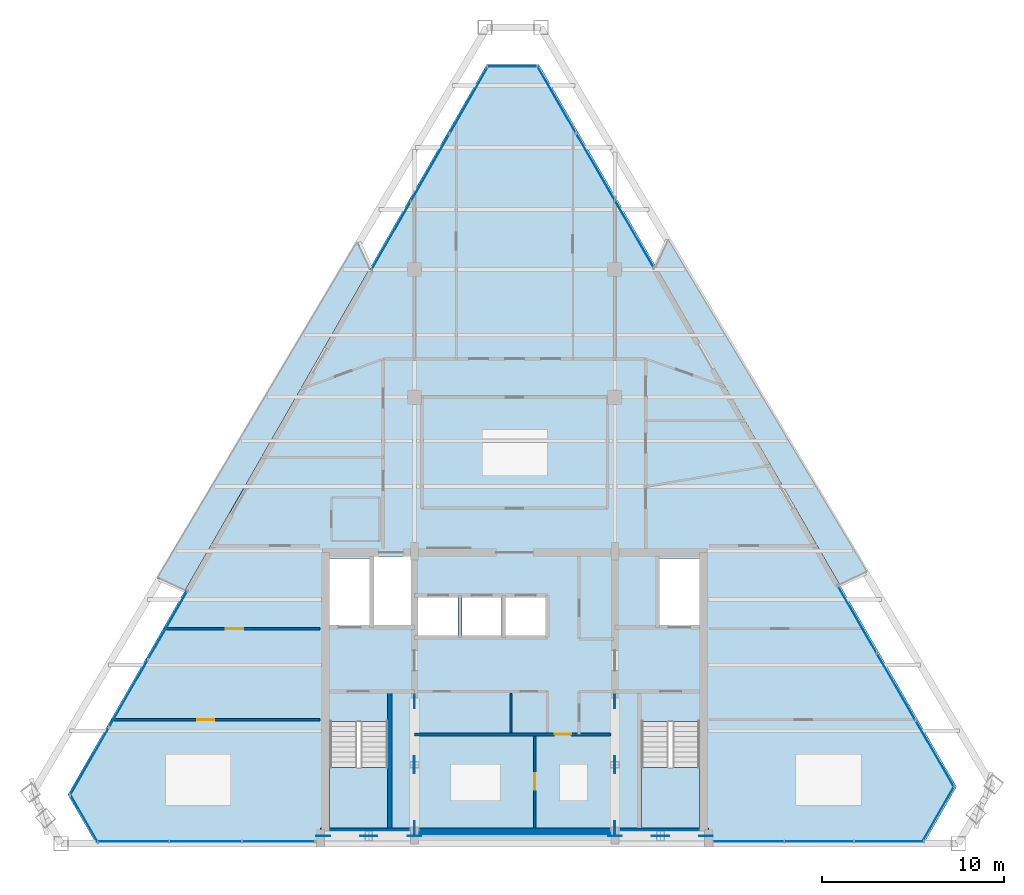
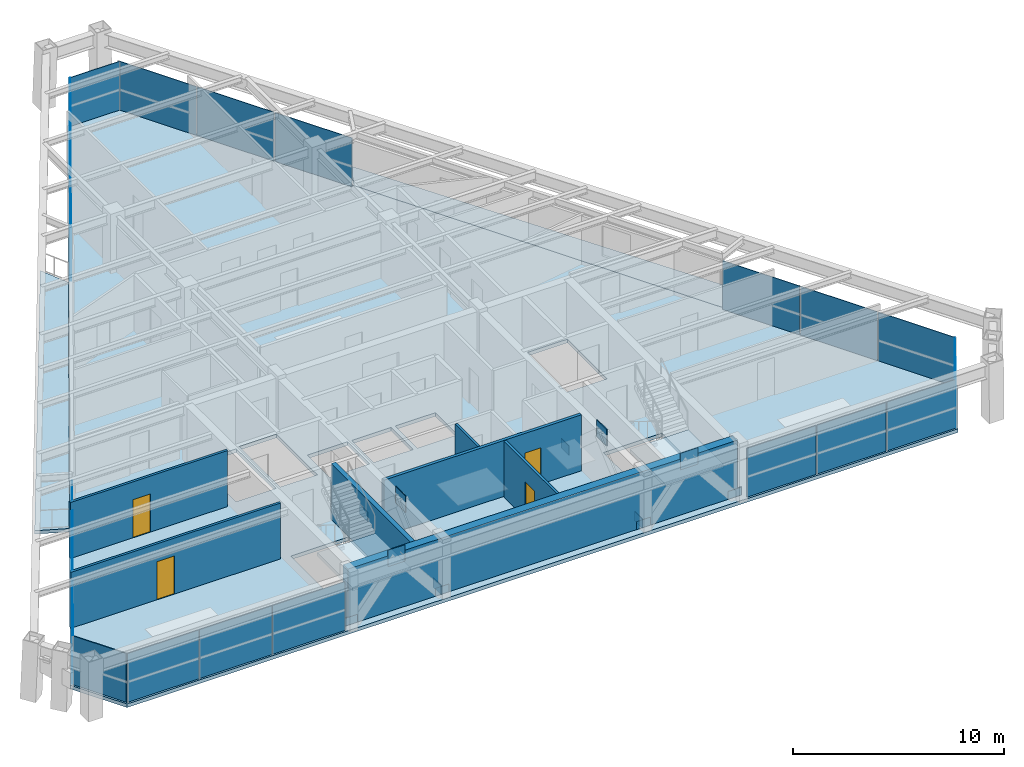
# One storey, part 8 of 13: 33 plates, 7 walls, 5 slabs, 4 doors, 4 openings, 11 elements without a shape of their own.
"""IFC4 building model written with IfcOpenShell, lengths in metres."""

import ifcopenshell
import ifcopenshell.guid

model = None  # the IFC model being written
_history = None  # IfcOwnerHistory: only IFC2X3 demands one
_inside = {}  # id of a spatial element -> (the spatial element, [elements in it])
_under = {}  # id of a project, library or spatial element -> (it, [spatial elements below it])
_declared = {}  # id of a project -> (the project, [libraries it declares])
_typed = {}  # id of a type object -> (the type object, [elements of that type])
_made_of = {}  # id of a material, layer set ... -> (it, [elements and type objects made of it])


def new_model(schema):
    """Start an empty IFC model of exactly this schema.

    Asked for "IFC4X3", IfcOpenShell would pick the latest addendum, in which some entities
    have other attributes; the version numbers below select the first issue.
    IFC2X3 requires an IfcOwnerHistory on every rooted entity: one is made here for all.
    """
    global model, _history
    if schema == "IFC4X3":
        model = ifcopenshell.file(schema_version=(4, 3, 0, 0))
    else:
        model = ifcopenshell.file(schema=schema)
    _inside.clear()
    _under.clear()
    _declared.clear()
    _typed.clear()
    _made_of.clear()
    _history = None
    if model.schema == "IFC2X3":
        org = make("IfcOrganization", Name="unknown")
        user = make(
            "IfcPersonAndOrganization",
            ThePerson=make("IfcPerson", FamilyName="unknown"),
            TheOrganization=org,
        )
        app = make(
            "IfcApplication",
            ApplicationDeveloper=org,
            Version="unknown",
            ApplicationFullName="unknown",
            ApplicationIdentifier="unknown",
        )
        _history = make(
            "IfcOwnerHistory",
            OwningUser=user,
            OwningApplication=app,
            ChangeAction="ADDED",
            CreationDate=0,
        )
    return model


def make(cls, **values):
    """One entity of the class cls with the attributes given. An attribute that is None is left unset."""
    return model.create_entity(
        cls, **{name: value for name, value in values.items() if value is not None}
    )


def rooted(cls, **values):
    """An entity with a GlobalId (a new one), such as an element, a storey or a relation."""
    return make(cls, GlobalId=ifcopenshell.guid.new(), OwnerHistory=_history, **values)


def si_unit(unit_type, name, prefix=None):
    """IfcSIUnit, for example si_unit("LENGTHUNIT", "METRE", prefix="MILLI")."""
    return make("IfcSIUnit", UnitType=unit_type, Prefix=prefix, Name=name)


def assignment(units):
    """IfcUnitAssignment: the units of a project."""
    return None if units is None else make("IfcUnitAssignment", Units=units)


def point(xyz):
    """IfcCartesianPoint."""
    return None if xyz is None else make("IfcCartesianPoint", Coordinates=xyz)


def direction(xyz):
    """IfcDirection."""
    return None if xyz is None else make("IfcDirection", DirectionRatios=xyz)


def frame(location, z_axis=None, x_axis=None):
    """IfcAxis2Placement3D, a coordinate frame: its origin and axes. An axis left out is left unset."""
    return make(
        "IfcAxis2Placement3D",
        Location=point(location),
        Axis=direction(z_axis),
        RefDirection=direction(x_axis),
    )


def frame_2d(location, x_axis=None):
    """IfcAxis2Placement2D, a coordinate frame in the plane: its origin and x axis."""
    return make(
        "IfcAxis2Placement2D", Location=point(location), RefDirection=direction(x_axis)
    )


def origin():
    """The frame at (0, 0, 0) with its axes left unset."""
    return frame((0.0, 0.0, 0.0))


def origin_2d():
    """The frame at (0, 0) in the plane with its x axis left unset."""
    return frame_2d((0.0, 0.0))


def place(relative_to, where):
    """IfcLocalPlacement: puts the frame where relative to a parent placement (None: the world)."""
    return make(
        "IfcLocalPlacement", PlacementRelTo=relative_to, RelativePlacement=where
    )


def context(
    kind, dimensions, precision=None, world=None, true_north=None, identifier=None
):
    """IfcGeometricRepresentationContext, for example the 3D "Model" context."""
    return make(
        "IfcGeometricRepresentationContext",
        ContextIdentifier=identifier,
        ContextType=kind,
        CoordinateSpaceDimension=dimensions,
        Precision=precision,
        WorldCoordinateSystem=world,
        TrueNorth=true_north,
    )


def subcontext(parent, identifier, kind, view, scale=None):
    """IfcGeometricRepresentationSubContext, for example "Body" below "Model"."""
    return make(
        "IfcGeometricRepresentationSubContext",
        ContextIdentifier=identifier,
        ContextType=kind,
        ParentContext=parent,
        TargetScale=scale,
        TargetView=view,
    )


def project(units=None, contexts=None):
    """IfcProject with its units and contexts."""
    return rooted(
        "IfcProject",
        Name="project",
        RepresentationContexts=contexts,
        UnitsInContext=assignment(units),
    )


def spatial(cls, under=None, at=None, **own):
    """A site, building, storey or space (cls), placed at a placement, below another one or the project."""
    s = rooted(cls, ObjectPlacement=at, **own)
    if under is not None:
        _under.setdefault(under.id(), (under, []))[1].append(s)
    return s


def polyline(points):
    """IfcPolyline through the points."""
    return make("IfcPolyline", Points=[point(p) for p in points])


def profile(cls, at=None, kind="AREA", **sizes):
    """A parametric profile (cls). Its sizes go by their IFC names, for example OverallWidth=200.0."""
    return make(cls, ProfileType=kind, Position=at, **sizes)


def rectangle(**sizes):
    """IfcRectangleProfileDef."""
    return profile("IfcRectangleProfileDef", **sizes)


def outline(outer, holes=None, kind="AREA"):
    """IfcArbitraryClosedProfileDef: a profile drawn as a closed curve; with holes, ...WithVoids."""
    if holes is None:
        return make("IfcArbitraryClosedProfileDef", ProfileType=kind, OuterCurve=outer)
    return make(
        "IfcArbitraryProfileDefWithVoids",
        ProfileType=kind,
        OuterCurve=outer,
        InnerCurves=holes,
    )


def extrude(swept, where, along, depth):
    """IfcExtrudedAreaSolid: the profile swept, set in the frame where, extruded along a direction by depth."""
    return make(
        "IfcExtrudedAreaSolid",
        SweptArea=swept,
        Position=where,
        ExtrudedDirection=direction(along),
        Depth=depth,
    )


def shape(context_of_items, identifier, shape_type, items):
    """IfcShapeRepresentation: the items that make up one representation, for example the "Body"."""
    return make(
        "IfcShapeRepresentation",
        ContextOfItems=context_of_items,
        RepresentationIdentifier=identifier,
        RepresentationType=shape_type,
        Items=items,
    )


def source(mapping_origin, context_of_items, identifier, shape_type, items):
    """IfcRepresentationMap: a shape defined once, which mapped items show again and again."""
    return make(
        "IfcRepresentationMap",
        MappingOrigin=mapping_origin,
        MappedRepresentation=shape(context_of_items, identifier, shape_type, items),
    )


def transform(
    local_origin,
    x_axis=None,
    y_axis=None,
    z_axis=None,
    scale=None,
    scale2=None,
    scale3=None,
    uniform=True,
):
    """IfcCartesianTransformationOperator3D, or its non-uniform kind. x_axis, y_axis, z_axis: its Axis1, 2, 3."""
    if uniform:
        return make(
            "IfcCartesianTransformationOperator3D",
            Axis1=direction(x_axis),
            Axis2=direction(y_axis),
            LocalOrigin=point(local_origin),
            Scale=scale,
            Axis3=direction(z_axis),
        )
    return make(
        "IfcCartesianTransformationOperator3DnonUniform",
        Axis1=direction(x_axis),
        Axis2=direction(y_axis),
        LocalOrigin=point(local_origin),
        Scale=scale,
        Axis3=direction(z_axis),
        Scale2=scale2,
        Scale3=scale3,
    )


def mapped(mapping_source, mapping_target):
    """IfcMappedItem: shows the shape of a source again, moved by a transform."""
    return make(
        "IfcMappedItem", MappingSource=mapping_source, MappingTarget=mapping_target
    )


def material(Name=None, Category=None):
    """IfcMaterial."""
    return make("IfcMaterial", Name=Name, Category=Category)


def layer(
    of_material, thickness, ventilated=None, Name=None, Category=None, Priority=None
):
    """IfcMaterialLayer: one layer of a wall or slab, of a material (None: an air gap)."""
    return make(
        "IfcMaterialLayer",
        Material=of_material,
        LayerThickness=thickness,
        IsVentilated=ventilated,
        Name=Name,
        Category=Category,
        Priority=Priority,
    )


def layer_set(layers, Name=None):
    """IfcMaterialLayerSet."""
    return make("IfcMaterialLayerSet", MaterialLayers=layers, LayerSetName=Name)


def made_of(thing, what):
    """Note that an element or type object is made of a material, layer set ...; save() writes the relation."""
    if what is not None:
        _made_of.setdefault(what.id(), (what, []))[1].append(thing)
    return thing


def type_object(cls, material=None, **own):
    """A type object (cls), such as IfcWallType, which elements share."""
    return made_of(rooted(cls, **own), material)


def type_shapes(of_type, sources):
    """Give a type object the sources (RepresentationMaps) that its elements show as mapped items."""
    of_type.RepresentationMaps = sources


def element(
    cls,
    number,
    at=None,
    inside=None,
    cuts=None,
    type_object=None,
    material=None,
    context=None,
    identifier="Body",
    shape_type=None,
    held_by="IfcProductDefinitionShape",
    body=None,
    shapes=None,
    **own,
):
    """One element of the class cls, such as IfcWall. Its Tag is "e" and its number.

    at: its placement. inside: the storey or other place that contains it. cuts: it is an
    opening in that element (IfcRelVoidsElement). A single representation is given by context,
    identifier, shape_type and body (its items); several are given by shapes. held_by: the class
    of the entity that holds the representations. save() writes the other relations.
    """
    e = rooted(cls, Tag="e%d" % number, ObjectPlacement=at, **own)
    if body is not None:
        shapes = [shape(context, identifier, shape_type, body)]
    if shapes is not None:
        e.Representation = make(held_by, Representations=shapes)
    if inside is not None:
        _inside.setdefault(inside.id(), (inside, []))[1].append(e)
    if cuts is not None:
        rooted(
            "IfcRelVoidsElement", RelatingBuildingElement=cuts, RelatedOpeningElement=e
        )
    if type_object is not None:
        _typed.setdefault(type_object.id(), (type_object, []))[1].append(e)
    return made_of(e, material)


def fill(opening, filler):
    """IfcRelFillsElement: the door or window that sits in an opening."""
    return rooted(
        "IfcRelFillsElement",
        RelatingOpeningElement=opening,
        RelatedBuildingElement=filler,
    )


def aggregate(whole, parts):
    """IfcRelAggregates: a whole, such as a stair, and the parts it consists of."""
    return rooted("IfcRelAggregates", RelatingObject=whole, RelatedObjects=parts)


def save(model, path):
    """Write the relations noted so far, then the file.

    IfcRelAggregates (storeys below a building ...), IfcRelContainedInSpatialStructure (elements
    in a storey), IfcRelDefinesByType, IfcRelAssociatesMaterial and IfcRelDeclares: one each for
    every whole, place, type object, material and project.
    """
    for whole, parts in _under.values():
        aggregate(whole, parts)
    for where, things in _inside.values():
        rooted(
            "IfcRelContainedInSpatialStructure",
            RelatedElements=things,
            RelatingStructure=where,
        )
    for kind, things in _typed.values():
        rooted("IfcRelDefinesByType", RelatedObjects=things, RelatingType=kind)
    for what, things in _made_of.values():
        rooted("IfcRelAssociatesMaterial", RelatedObjects=things, RelatingMaterial=what)
    for by, libraries in _declared.values():
        rooted("IfcRelDeclares", RelatingContext=by, RelatedDefinitions=libraries)
    model.write(path)


model = new_model("IFC4")

# Units and contexts
model_context = context("Model", 3, precision=1e-05, world=origin(), true_north=direction((0.0, 1.0)))
body_context = subcontext(model_context, "Body", "Model", "MODEL_VIEW")
ifc_project = project(units=[si_unit("LENGTHUNIT", "METRE"), si_unit("AREAUNIT", "SQUARE_METRE"), si_unit("VOLUMEUNIT", "CUBIC_METRE"), si_unit("PLANEANGLEUNIT", "RADIAN"), si_unit("MASSUNIT", "GRAM", prefix="KILO")], contexts=[model_context])

# Site, building, storey
site_placement = place(None, origin())
site = spatial("IfcSite", under=ifc_project, at=site_placement, CompositionType="ELEMENT")
building_placement = place(site_placement, origin())
building = spatial("IfcBuilding", under=site, at=building_placement, Name="Varnakhor Terracotta Tower", CompositionType="ELEMENT")
storey_placement = place(building_placement, frame((0.0, 0.0, 293.699951171875)))
storey = spatial("IfcBuildingStorey", under=building, at=storey_placement, Name="L77", CompositionType="ELEMENT", Elevation=293.699951171875)

# Slab
ifc_material_1 = material(Name="Concrete C40/50", Category="concrete")
ifc_layer_1 = layer(ifc_material_1, 0.2099609375, Name="Concrete C40/50")
ifc_layer_set_1 = layer_set([ifc_layer_1], Name="Concrete C40/50")
slab_type_1 = type_object("IfcSlabType", Name="SLB-HTL-210", PredefinedType="FLOOR", material=ifc_layer_set_1)
slab_1_placement = place(storey_placement, frame((0.0, 0.0, -0.2099609375)))
element("IfcSlab", 1, at=slab_1_placement, inside=storey, type_object=slab_type_1, Name="L77 Structural Floor Slab", PredefinedType="FLOOR", context=body_context, shape_type="SweptSolid", body=[
    extrude(outline(polyline([(-24.5126953125, 2.686279296875), (-1.52490234375, 42.7607421875), (1.33056640625, 42.7607421875), (24.246337890625, 3.125732421875), (22.453125, 0.0), (-22.959716796875, 0.0), (-24.5126953125, 2.686279296875)]), holes=[polyline([(-6.949951171875, 0.85009765625), (-6.949951171875, 6.695068359375), (-10.14990234375, 6.695068359375), (-10.14990234375, 0.85009765625), (-6.949951171875, 0.85009765625)]), polyline([(10.14990234375, 0.85009765625), (10.14990234375, 6.695068359375), (6.949951171875, 6.695068359375), (6.949951171875, 0.85009765625), (10.14990234375, 0.85009765625)]), polyline([(-3.10009765625, 11.419921875), (-3.10009765625, 13.52001953125), (-5.300048828125, 13.52001953125), (-5.300048828125, 11.419921875), (-3.10009765625, 11.419921875)]), polyline([(-0.719970703125, 11.419921875), (-0.719970703125, 13.52001953125), (-2.8798828125, 13.52001953125), (-2.8798828125, 11.419921875), (-0.719970703125, 11.419921875)]), polyline([(1.699951171875, 11.419921875), (1.699951171875, 13.52001953125), (-0.5, 13.52001953125), (-0.5, 11.419921875), (1.699951171875, 11.419921875)]), polyline([(-7.949951171875, 11.8798828125), (-7.949951171875, 15.64990234375), (-10.14990234375, 15.64990234375), (-10.14990234375, 11.8798828125), (-7.949951171875, 11.8798828125)]), polyline([(10.14990234375, 11.8798828125), (10.14990234375, 15.64990234375), (7.949951171875, 15.64990234375), (7.949951171875, 11.8798828125), (10.14990234375, 11.8798828125)]), polyline([(-5.699951171875, 11.8798828125), (-5.699951171875, 15.75), (-7.72998046875, 15.75), (-7.72998046875, 11.8798828125), (-5.699951171875, 11.8798828125)])]), origin(), (0.0, 0.0, 1.0), 0.2099609375),
])

# Stair, slab
stair_type = type_object("IfcStairType", Name="STR-CORE-HOTEL-1500", PredefinedType="HALF_TURN_STAIR", material=ifc_material_1)
stair_1_placement = place(storey_placement, origin())
stair_1 = element("IfcStair", 2, at=stair_1_placement, inside=storey, type_object=stair_type, Name="L77 Core Exit Stair ST-1", PredefinedType="HALF_TURN_STAIR")
ifc_layer_2 = layer(ifc_material_1, 0.179931640625, Name="Concrete C40/50")
ifc_layer_set_2 = layer_set([ifc_layer_2], Name="Concrete C40/50")
slab_type_2 = type_object("IfcSlabType", Name="SLB-LANDING-180", PredefinedType="LANDING", material=ifc_layer_set_2)
slab_2_placement = place(storey_placement, frame((0.0, 0.0, 1.525146484375)))
slab_2 = element("IfcSlab", 3, at=slab_2_placement, type_object=slab_type_2, Name="ST-1 landing 1", PredefinedType="LANDING", context=body_context, shape_type="SweptSolid", body=[
    extrude(outline(polyline([(-10.14990234375, 4.18994140625), (-10.14990234375, 0.85009765625), (-6.949951171875, 0.85009765625), (-6.949951171875, 4.18994140625), (-10.14990234375, 4.18994140625)])), origin(), (0.0, 0.0, 1.0), 0.199951171875),
])
aggregate(stair_1, [slab_2])

stair_2_placement = place(storey_placement, origin())
stair_2 = element("IfcStair", 4, at=stair_2_placement, inside=storey, type_object=stair_type, Name="L77 Core Exit Stair ST-2", PredefinedType="HALF_TURN_STAIR")
slab_3_placement = place(storey_placement, frame((0.0, 0.0, 1.525146484375)))
slab_3 = element("IfcSlab", 5, at=slab_3_placement, type_object=slab_type_2, Name="ST-2 landing 1", PredefinedType="LANDING", context=body_context, shape_type="SweptSolid", body=[
    extrude(outline(polyline([(6.949951171875, 4.18994140625), (6.949951171875, 0.85009765625), (10.14990234375, 0.85009765625), (10.14990234375, 4.18994140625), (6.949951171875, 4.18994140625)])), origin(), (0.0, 0.0, 1.0), 0.199951171875),
])
aggregate(stair_2, [slab_3])

# Slabs
ifc_layer_3 = layer(ifc_material_1, 0.195068359375, Name="Concrete C40/50")
ifc_layer_set_3 = layer_set([ifc_layer_3], Name="Concrete C40/50")
slab_type_3 = type_object("IfcSlabType", Name="SLB-LOGGIA-EXT-195", PredefinedType="FLOOR", material=ifc_layer_set_3)
slab_4_placement = place(storey_placement, frame((0.0, 0.0, -0.195068359375)))
element("IfcSlab", 6, at=slab_4_placement, inside=storey, type_object=slab_type_3, Name="L77 E Recessed Outdoor Loggia Slab", PredefinedType="FLOOR", context=body_context, shape_type="SweptSolid", body=[
    extrude(outline(polyline([(8.4072265625, 33.167724609375), (19.338134765625, 14.899658203125), (17.829833984375, 14.2236328125), (7.7470703125, 31.6630859375), (8.4072265625, 33.167724609375)])), origin(), (0.0, 0.0, 1.0), 0.195068359375),
])
slab_5_placement = place(storey_placement, frame((0.0, 0.0, -0.195068359375)))
element("IfcSlab", 7, at=slab_5_placement, inside=storey, type_object=slab_type_3, Name="L77 W Recessed Outdoor Loggia Slab", PredefinedType="FLOOR", context=body_context, shape_type="SweptSolid", body=[
    extrude(outline(polyline([(-19.599853515625, 14.568115234375), (-8.627685546875, 33.038818359375), (-7.96142578125, 31.539794921875), (-16.531982421875, 16.59912109375), (-18.076171875, 13.906982421875), (-19.599853515625, 14.568115234375)])), origin(), (0.0, 0.0, 1.0), 0.195068359375),
])

# Plates
ifc_material_2 = material(Name="Steel S460", Category="steel")
ifc_layer_4 = layer(ifc_material_2, 0.050048828125, Name="Steel S460")
ifc_layer_set_4 = layer_set([ifc_layer_4], Name="Steel S460")
plate_type_1 = type_object("IfcPlateType", Name="PLT-GUSSET-50", PredefinedType="USERDEFINED", material=ifc_layer_set_4)
shared_shape_1 = source(origin(), body_context, "Body", "SweptSolid", [
    extrude(rectangle(XDim=0.75, YDim=0.0400390625, at=origin_2d()), origin(), (0.0, 0.0, 1.0), 0.550048828125),
])
type_shapes(plate_type_1, [shared_shape_1])
for number, where, z_axis, x_axis, name in (
    (8, (-10.5, 0.419921875, -0.09521484375), (0.0, 0.0, 1.0), (1.0, 0.0, 0.0), "L77 Core Brace Embed Plate CSWA"),
    (9, (-5.5, 0.419921875, -0.09521484375), (0.0, 0.0, 1.0), (1.0, 0.0, 0.0), "L77 Core Brace Embed Plate CSWB"),
    (10, (5.5, 0.419921875, -0.09521484375), (0.0, 0.0, 1.0), (1.0, 0.0, 0.0), "L77 Core Brace Embed Plate CSEA"),
    (11, (10.5, 0.419921875, -0.09521484375), (0.0, 0.0, 1.0), (1.0, 0.0, 0.0), "L77 Core Brace Embed Plate CSEB"),
    (12, (-5.5, 0.85009765625, -0.09521484375), (0.0, 0.0, 1.0), (0.0, 1.0, 0.0), "L77 Core Brace Embed Plate CWWA"),
    (13, (-5.5, 7.800048828125, -0.09521484375), (0.0, 0.0, 1.0), (0.0, 1.0, 0.0), "L77 Core Brace Embed Plate CWWB"),
    (14, (5.5, 0.85009765625, -0.09521484375), (0.0, 0.0, 1.0), (0.0, 1.0, 0.0), "L77 Core Brace Embed Plate CWEA"),
    (15, (5.5, 7.800048828125, -0.09521484375), (0.0, 0.0, 1.0), (0.0, 1.0, 0.0), "L77 Core Brace Embed Plate CWEB"),
):
    element("IfcPlate", number, at=place(storey_placement, frame(where, z_axis=z_axis, x_axis=x_axis)), inside=storey, type_object=plate_type_1, Name=name, ObjectType="GUSSET PLATE", PredefinedType="USERDEFINED", context=body_context, shape_type="MappedRepresentation", body=[
        mapped(shared_shape_1, transform((0.0, 0.0, 0.0), scale=1.0)),
    ])
shared_shape_2 = source(origin(), body_context, "Body", "SweptSolid", [
    extrude(rectangle(XDim=0.949951171875, YDim=0.044921875, at=origin_2d()), origin(), (0.0, 0.0, 1.0), 0.949951171875),
])
for number, where, z_axis, x_axis, name in (
    (16, (-8.0, 0.419921875, 2.615234375), (0.0, 0.0, 1.0), (1.0, 0.0, 0.0), "L77 Core Brace Apex Gusset CSW"),
    (17, (8.0, 0.419921875, 2.615234375), (0.0, 0.0, 1.0), (1.0, 0.0, 0.0), "L77 Core Brace Apex Gusset CSE"),
    (18, (-5.5, 4.324951171875, 2.615234375), (0.0, 0.0, 1.0), (0.0, 1.0, 0.0), "L77 Core Brace Apex Gusset CWW"),
    (19, (5.5, 4.324951171875, 2.615234375), (0.0, 0.0, 1.0), (0.0, 1.0, 0.0), "L77 Core Brace Apex Gusset CWE"),
):
    element("IfcPlate", number, at=place(storey_placement, frame(where, z_axis=z_axis, x_axis=x_axis)), inside=storey, type_object=plate_type_1, Name=name, ObjectType="GUSSET PLATE", PredefinedType="USERDEFINED", context=body_context, shape_type="MappedRepresentation", body=[
        mapped(shared_shape_2, transform((0.0, 0.0, 0.0), scale=1.0)),
    ])

# Curtain wall, plate
ifc_material_3 = material(Name="Anodised Aluminium Curtain Wall System", Category="aluminium")
curtain_wall_type = type_object("IfcCurtainWallType", Name="CW-SYS-HOTEL-LOGGIA", PredefinedType="NOTDEFINED", material=ifc_material_3)
curtain_wall_1_placement = place(storey_placement, origin())
curtain_wall_1 = element("IfcCurtainWall", 20, at=curtain_wall_1_placement, inside=storey, type_object=curtain_wall_type, Name="L77 E Facet Curtain Wall 1", PredefinedType="NOTDEFINED")
ifc_material_4 = material(Name="Solar-Control Low-E Insulated Glass Panel", Category="glass")
ifc_layer_5 = layer(ifc_material_4, 0.033935546875, Name="Solar-Control Low-E Insulated Glass Panel")
ifc_layer_set_5 = layer_set([ifc_layer_5], Name="Solar-Control Low-E Insulated Glass Panel")
plate_type_2 = type_object("IfcPlateType", Name="CWP-04", PredefinedType="CURTAIN_PANEL", material=ifc_layer_set_5)
shared_shape_3 = source(origin(), body_context, "Body", "SweptSolid", [
    extrude(rectangle(XDim=4.212890625, YDim=0.035888671875, at=origin_2d()), origin(), (0.0, 0.0, 1.0), 2.820068359375),
])
plate_1_placement = place(storey_placement, frame((4.434814453125, 37.15185546875, 0.0), z_axis=(0.0, 0.0, 1.0), x_axis=(0.500528931493, -0.865719809603, 0.0)))
plate_1 = element("IfcPlate", 21, at=plate_1_placement, type_object=plate_type_2, Name="L77 E Facet Curtain Wall 1 Glazed Panel 2", PredefinedType="CURTAIN_PANEL", context=body_context, shape_type="MappedRepresentation", body=[
    mapped(shared_shape_3, transform((0.0, 0.0, 0.0), scale=1.0)),
])

curtain_wall_2_placement = place(storey_placement, origin())
curtain_wall_2 = element("IfcCurtainWall", 22, at=curtain_wall_2_placement, inside=storey, type_object=curtain_wall_type, Name="L77 E Facet Curtain Wall 2", PredefinedType="NOTDEFINED")
plate_2_placement = place(storey_placement, frame((20.93408203125, 8.61474609375, 0.0), z_axis=(0.0, 0.0, 1.0), x_axis=(0.500528931493, -0.865719809603, 0.0)))
plate_2 = element("IfcPlate", 23, at=plate_2_placement, type_object=plate_type_2, Name="L77 E Facet Curtain Wall 2 Glazed Panel 2", PredefinedType="CURTAIN_PANEL", context=body_context, shape_type="MappedRepresentation", body=[
    mapped(shared_shape_3, transform((0.0, 0.0, 0.0), scale=1.0)),
])

# Curtain wall, plates
curtain_wall_3_placement = place(storey_placement, origin())
curtain_wall_3 = element("IfcCurtainWall", 24, at=curtain_wall_3_placement, inside=storey, type_object=curtain_wall_type, Name="L77 W Facet Curtain Wall 1", PredefinedType="NOTDEFINED")
shared_shape_4 = source(origin(), body_context, "Body", "SweptSolid", [
    extrude(rectangle(XDim=4.251953125, YDim=0.035888671875, at=origin_2d()), origin(), (0.0, 0.0, 1.0), 2.820068359375),
])
plate_3_placement = place(storey_placement, frame((-23.325927734375, 4.513916015625, 0.0), z_axis=(0.0, 0.0, 1.0), x_axis=(0.497579654441, 0.867418288651, 0.0)))
plate_3 = element("IfcPlate", 25, at=plate_3_placement, type_object=plate_type_2, Name="L77 W Facet Curtain Wall 1 Glazed Panel 1", PredefinedType="CURTAIN_PANEL", context=body_context, shape_type="MappedRepresentation", body=[
    mapped(shared_shape_4, transform((0.0, 0.0, 0.0), scale=1.0)),
])
plate_4_placement = place(storey_placement, frame((-21.190185546875, 8.237060546875, 0.0), z_axis=(0.0, 0.0, 1.0), x_axis=(0.497579654441, 0.867418288651, 0.0)))
plate_4 = element("IfcPlate", 26, at=plate_4_placement, type_object=plate_type_2, Name="L77 W Facet Curtain Wall 1 Glazed Panel 2", PredefinedType="CURTAIN_PANEL", context=body_context, shape_type="MappedRepresentation", body=[
    mapped(shared_shape_4, transform((0.0, 0.0, 0.0), scale=1.0)),
])
plate_5_placement = place(storey_placement, frame((-19.0546875, 11.9599609375, 0.0), z_axis=(0.0, 0.0, 1.0), x_axis=(0.497579654441, 0.867418288651, 0.0)))
plate_5 = element("IfcPlate", 27, at=plate_5_placement, type_object=plate_type_2, Name="L77 W Facet Curtain Wall 1 Glazed Panel 3", PredefinedType="CURTAIN_PANEL", context=body_context, shape_type="MappedRepresentation", body=[
    mapped(shared_shape_4, transform((0.0, 0.0, 0.0), scale=1.0)),
])
aggregate(curtain_wall_3, [plate_3, plate_4, plate_5])

curtain_wall_4_placement = place(storey_placement, origin())
curtain_wall_4 = element("IfcCurtainWall", 28, at=curtain_wall_4_placement, inside=storey, type_object=curtain_wall_type, Name="L77 W Facet Curtain Wall 2", PredefinedType="NOTDEFINED")
plate_6_placement = place(storey_placement, frame((-6.774658203125, 33.36767578125, 0.0), z_axis=(0.0, 0.0, 1.0), x_axis=(0.497579654441, 0.867418288651, 0.0)))
plate_6 = element("IfcPlate", 29, at=plate_6_placement, type_object=plate_type_2, Name="L77 W Facet Curtain Wall 2 Glazed Panel 1", PredefinedType="CURTAIN_PANEL", context=body_context, shape_type="MappedRepresentation", body=[
    mapped(shared_shape_4, transform((0.0, 0.0, 0.0), scale=1.0)),
])
plate_7_placement = place(storey_placement, frame((-4.63916015625, 37.090576171875, 0.0), z_axis=(0.0, 0.0, 1.0), x_axis=(0.497579654441, 0.867418288651, 0.0)))
plate_7 = element("IfcPlate", 30, at=plate_7_placement, type_object=plate_type_2, Name="L77 W Facet Curtain Wall 2 Glazed Panel 2", PredefinedType="CURTAIN_PANEL", context=body_context, shape_type="MappedRepresentation", body=[
    mapped(shared_shape_4, transform((0.0, 0.0, 0.0), scale=1.0)),
])
plate_8_placement = place(storey_placement, frame((-2.50341796875, 40.813720703125, 0.0), z_axis=(0.0, 0.0, 1.0), x_axis=(0.497579654441, 0.867418288651, 0.0)))
plate_8 = element("IfcPlate", 31, at=plate_8_placement, type_object=plate_type_2, Name="L77 W Facet Curtain Wall 2 Glazed Panel 3", PredefinedType="CURTAIN_PANEL", context=body_context, shape_type="MappedRepresentation", body=[
    mapped(shared_shape_4, transform((0.0, 0.0, 0.0), scale=1.0)),
])
aggregate(curtain_wall_4, [plate_6, plate_7, plate_8])

# Curtain wall, plate
curtain_wall_5_placement = place(storey_placement, origin())
curtain_wall_5 = element("IfcCurtainWall", 32, at=curtain_wall_5_placement, inside=storey, type_object=curtain_wall_type, Name="L77 Facet Curtain Wall 2", PredefinedType="NOTDEFINED")
shared_shape_5 = source(origin(), body_context, "Body", "SweptSolid", [
    extrude(rectangle(XDim=2.755615234375, YDim=0.035888671875, at=origin_2d()), origin(), (0.0, 0.0, 1.0), 2.820068359375),
])
plate_9_placement = place(storey_placement, frame((-0.09716796875, 42.640869140625, 0.0), z_axis=(0.0, 0.0, 1.0), x_axis=(1.0, 0.0, 0.0)))
plate_9 = element("IfcPlate", 33, at=plate_9_placement, type_object=plate_type_2, Name="L77 Facet Curtain Wall 2 Glazed Panel 1", PredefinedType="CURTAIN_PANEL", context=body_context, shape_type="MappedRepresentation", body=[
    mapped(shared_shape_5, transform((0.0, 0.0, 0.0), scale=1.0)),
])
aggregate(curtain_wall_5, [plate_9])

# Plate
shared_shape_6 = source(origin(), body_context, "Body", "SweptSolid", [
    extrude(rectangle(XDim=4.213134765625, YDim=0.035888671875, at=origin_2d()), origin(), (0.0, 0.0, 1.0), 2.820068359375),
])
plate_10_placement = place(storey_placement, frame((2.30615234375, 40.833740234375, 0.0), z_axis=(0.0, 0.0, 1.0), x_axis=(0.500528931493, -0.865719809603, 0.0)))
plate_10 = element("IfcPlate", 34, at=plate_10_placement, type_object=plate_type_2, Name="L77 E Facet Curtain Wall 1 Glazed Panel 1", PredefinedType="CURTAIN_PANEL", context=body_context, shape_type="MappedRepresentation", body=[
    mapped(shared_shape_6, transform((0.0, 0.0, 0.0), scale=1.0)),
])

plate_11_placement = place(storey_placement, frame((6.563720703125, 33.469970703125, 0.0), z_axis=(0.0, 0.0, 1.0), x_axis=(0.500528931493, -0.865719809603, 0.0)))
plate_11 = element("IfcPlate", 35, at=plate_11_placement, type_object=plate_type_2, Name="L77 E Facet Curtain Wall 1 Glazed Panel 3", PredefinedType="CURTAIN_PANEL", context=body_context, shape_type="MappedRepresentation", body=[
    mapped(shared_shape_6, transform((0.0, 0.0, 0.0), scale=1.0)),
])

aggregate(curtain_wall_1, [plate_10, plate_1, plate_11])

plate_12_placement = place(storey_placement, frame((18.805419921875, 12.296630859375, 0.0), z_axis=(0.0, 0.0, 1.0), x_axis=(0.500528931493, -0.865719809603, 0.0)))
plate_12 = element("IfcPlate", 36, at=plate_12_placement, type_object=plate_type_2, Name="L77 E Facet Curtain Wall 2 Glazed Panel 1", PredefinedType="CURTAIN_PANEL", context=body_context, shape_type="MappedRepresentation", body=[
    mapped(shared_shape_6, transform((0.0, 0.0, 0.0), scale=1.0)),
])

plate_13_placement = place(storey_placement, frame((23.06298828125, 4.9326171875, 0.0), z_axis=(0.0, 0.0, 1.0), x_axis=(0.500528931493, -0.865719809603, 0.0)))
plate_13 = element("IfcPlate", 37, at=plate_13_placement, type_object=plate_type_2, Name="L77 E Facet Curtain Wall 2 Glazed Panel 3", PredefinedType="CURTAIN_PANEL", context=body_context, shape_type="MappedRepresentation", body=[
    mapped(shared_shape_6, transform((0.0, 0.0, 0.0), scale=1.0)),
])

aggregate(curtain_wall_2, [plate_12, plate_2, plate_13])

# Curtain wall, plate
curtain_wall_6_placement = place(storey_placement, origin())
curtain_wall_6 = element("IfcCurtainWall", 38, at=curtain_wall_6_placement, inside=storey, type_object=curtain_wall_type, Name="L77 Facet Curtain Wall 4", PredefinedType="NOTDEFINED")
shared_shape_7 = source(origin(), body_context, "Body", "SweptSolid", [
    extrude(rectangle(XDim=3.503662109375, YDim=0.035888671875, at=origin_2d()), origin(), (0.0, 0.0, 1.0), 2.820068359375),
])
plate_14_placement = place(storey_placement, frame((23.24560546875, 1.62255859375, 0.0), z_axis=(0.0, 0.0, 1.0), x_axis=(-0.49759479367, -0.867409604116, 0.0)))
plate_14 = element("IfcPlate", 39, at=plate_14_placement, type_object=plate_type_2, Name="L77 Facet Curtain Wall 4 Glazed Panel 1", PredefinedType="CURTAIN_PANEL", context=body_context, shape_type="MappedRepresentation", body=[
    mapped(shared_shape_7, transform((0.0, 0.0, 0.0), scale=1.0)),
])
aggregate(curtain_wall_6, [plate_14])

# Curtain wall, plates
curtain_wall_7_placement = place(storey_placement, origin())
curtain_wall_7 = element("IfcCurtainWall", 40, at=curtain_wall_7_placement, inside=storey, type_object=curtain_wall_type, Name="L77 South Wing Curtain Wall SSE", PredefinedType="NOTDEFINED")
shared_shape_8 = source(origin(), body_context, "Body", "SweptSolid", [
    extrude(rectangle(XDim=3.784423828125, YDim=0.035888671875, at=origin_2d()), origin(), (0.0, 0.0, 1.0), 2.820068359375),
])
plate_15_placement = place(storey_placement, frame((20.531005859375, 0.1201171875, 0.0), z_axis=(0.0, 0.0, 1.0), x_axis=(-1.0, 0.0, 0.0)))
plate_15 = element("IfcPlate", 41, at=plate_15_placement, type_object=plate_type_2, Name="L77 South Wing Curtain Wall SSE Glazed Panel 1", PredefinedType="CURTAIN_PANEL", context=body_context, shape_type="MappedRepresentation", body=[
    mapped(shared_shape_8, transform((0.0, 0.0, 0.0), scale=1.0)),
])
plate_16_placement = place(storey_placement, frame((16.70654296875, 0.1201171875, 0.0), z_axis=(0.0, 0.0, 1.0), x_axis=(-1.0, 0.0, 0.0)))
plate_16 = element("IfcPlate", 42, at=plate_16_placement, type_object=plate_type_2, Name="L77 South Wing Curtain Wall SSE Glazed Panel 2", PredefinedType="CURTAIN_PANEL", context=body_context, shape_type="MappedRepresentation", body=[
    mapped(shared_shape_8, transform((0.0, 0.0, 0.0), scale=1.0)),
])
plate_17_placement = place(storey_placement, frame((12.882080078125, 0.1201171875, 0.0), z_axis=(0.0, 0.0, 1.0), x_axis=(-1.0, 0.0, 0.0)))
plate_17 = element("IfcPlate", 43, at=plate_17_placement, type_object=plate_type_2, Name="L77 South Wing Curtain Wall SSE Glazed Panel 3", PredefinedType="CURTAIN_PANEL", context=body_context, shape_type="MappedRepresentation", body=[
    mapped(shared_shape_8, transform((0.0, 0.0, 0.0), scale=1.0)),
])
aggregate(curtain_wall_7, [plate_15, plate_16, plate_17])

curtain_wall_8_placement = place(storey_placement, origin())
curtain_wall_8 = element("IfcCurtainWall", 44, at=curtain_wall_8_placement, inside=storey, type_object=curtain_wall_type, Name="L77 South Wing Curtain Wall SSW", PredefinedType="NOTDEFINED")
shared_shape_9 = source(origin(), body_context, "Body", "SweptSolid", [
    extrude(rectangle(XDim=3.953125, YDim=0.035888671875, at=origin_2d()), origin(), (0.0, 0.0, 1.0), 2.820068359375),
])
plate_18_placement = place(storey_placement, frame((-12.966552734375, 0.1201171875, 0.0), z_axis=(0.0, 0.0, 1.0), x_axis=(-1.0, 0.0, 0.0)))
plate_18 = element("IfcPlate", 45, at=plate_18_placement, type_object=plate_type_2, Name="L77 South Wing Curtain Wall SSW Glazed Panel 1", PredefinedType="CURTAIN_PANEL", context=body_context, shape_type="MappedRepresentation", body=[
    mapped(shared_shape_9, transform((0.0, 0.0, 0.0), scale=1.0)),
])
plate_19_placement = place(storey_placement, frame((-16.959716796875, 0.1201171875, 0.0), z_axis=(0.0, 0.0, 1.0), x_axis=(-1.0, 0.0, 0.0)))
plate_19 = element("IfcPlate", 46, at=plate_19_placement, type_object=plate_type_2, Name="L77 South Wing Curtain Wall SSW Glazed Panel 2", PredefinedType="CURTAIN_PANEL", context=body_context, shape_type="MappedRepresentation", body=[
    mapped(shared_shape_9, transform((0.0, 0.0, 0.0), scale=1.0)),
])
plate_20_placement = place(storey_placement, frame((-20.952880859375, 0.1201171875, 0.0), z_axis=(0.0, 0.0, 1.0), x_axis=(-1.0, 0.0, 0.0)))
plate_20 = element("IfcPlate", 47, at=plate_20_placement, type_object=plate_type_2, Name="L77 South Wing Curtain Wall SSW Glazed Panel 3", PredefinedType="CURTAIN_PANEL", context=body_context, shape_type="MappedRepresentation", body=[
    mapped(shared_shape_9, transform((0.0, 0.0, 0.0), scale=1.0)),
])
aggregate(curtain_wall_8, [plate_18, plate_19, plate_20])

# Curtain wall, plate
curtain_wall_9_placement = place(storey_placement, origin())
curtain_wall_9 = element("IfcCurtainWall", 48, at=curtain_wall_9_placement, inside=storey, type_object=curtain_wall_type, Name="L77 Facet Curtain Wall 6", PredefinedType="NOTDEFINED")
shared_shape_10 = source(origin(), body_context, "Body", "SweptSolid", [
    extrude(rectangle(XDim=3.0029296875, YDim=0.035888671875, at=origin_2d()), origin(), (0.0, 0.0, 1.0), 2.820068359375),
])
plate_21_placement = place(storey_placement, frame((-23.632080078125, 1.403076171875, 0.0), z_axis=(0.0, 0.0, 1.0), x_axis=(-0.500544041077, 0.865711073593, 0.0)))
plate_21 = element("IfcPlate", 49, at=plate_21_placement, type_object=plate_type_2, Name="L77 Facet Curtain Wall 6 Glazed Panel 1", PredefinedType="CURTAIN_PANEL", context=body_context, shape_type="MappedRepresentation", body=[
    mapped(shared_shape_10, transform((0.0, 0.0, 0.0), scale=1.0)),
])
aggregate(curtain_wall_9, [plate_21])

# Wall
ifc_material_5 = material(Name="Concrete C50/60", Category="concrete")
ifc_layer_6 = layer(ifc_material_5, 0.449951171875, Name="Concrete C50/60")
ifc_layer_set_6 = layer_set([ifc_layer_6], Name="Concrete C50/60")
wall_type_1 = type_object("IfcWallType", Name="WAL-CORE-450", PredefinedType="SHEAR", material=ifc_layer_set_6)
wall_1_placement = place(storey_placement, frame((-10.64990234375, 0.625, 0.0), z_axis=(0.0, 0.0, 1.0), x_axis=(1.0, 0.0, 0.0)))
element("IfcWall", 50, at=wall_1_placement, inside=storey, type_object=wall_type_1, Name="L77 South Core Shear Wall", PredefinedType="SHEAR", context=body_context, shape_type="SweptSolid", body=[
    extrude(rectangle(XDim=21.2998046875, YDim=0.449951171875, at=frame_2d((10.64990234375, 0.0))), origin(), (0.0, 0.0, 1.0), 3.239990234375),
])

# Wall, opening, door
ifc_material_6 = material(Name="Acoustic Hotel Room Partition", Category="gypsum")
ifc_layer_7 = layer(ifc_material_6, 0.1298828125, Name="Acoustic Hotel Room Partition")
ifc_layer_set_7 = layer_set([ifc_layer_7], Name="Acoustic Hotel Room Partition")
wall_type_2 = type_object("IfcWallType", Name="WAL-PART-130", PredefinedType="PARTITIONING", material=ifc_layer_set_7)
wall_2_placement = place(storey_placement, frame((-22.141357421875, 6.800048828125, 0.0), z_axis=(0.0, 0.0, 1.0), x_axis=(1.0, 0.0, 0.0)))
wall_2 = element("IfcWall", 51, at=wall_2_placement, inside=storey, type_object=wall_type_2, Name="L77 SW Key Split 1", PredefinedType="PARTITIONING", context=body_context, shape_type="SweptSolid", body=[
    extrude(rectangle(XDim=11.46142578125, YDim=0.1298828125, at=frame_2d((5.730712890625, 0.0))), origin(), (0.0, 0.0, 1.0), 3.23193359375),
])
opening_1_placement = place(wall_2_placement, frame((4.716552734375, 0.0, 0.0)))
opening_1 = element("IfcOpeningElement", 52, at=opening_1_placement, cuts=wall_2, Name="Opening DR-94", PredefinedType="OPENING", context=body_context, shape_type="SweptSolid", body=[
    extrude(rectangle(XDim=0.949951171875, YDim=2.199951171875, at=frame_2d((0.47509765625, 1.10009765625))), frame((0.0, 0.074951171875, 0.0), z_axis=(0.0, -1.0, 0.0), x_axis=(1.0, 0.0, 0.0)), (0.0, 0.0, 1.0), 0.14990234375),
])
ifc_material_7 = material(Name="Acoustic Glazed-Vision Timber Office Door", Category="wood")
door_type_1 = type_object("IfcDoorType", Name="DR-OFF-950X2200", OperationType="NOTDEFINED", PredefinedType="DOOR", material=ifc_material_7)
shared_shape_11 = source(origin(), body_context, "Body", "SweptSolid", [
    extrude(rectangle(XDim=0.949951171875, YDim=2.199951171875, at=frame_2d((0.47509765625, 1.10009765625))), frame((0.0, 0.02490234375, 0.0), z_axis=(0.0, -1.0, 0.0), x_axis=(1.0, 0.0, 0.0)), (0.0, 0.0, 1.0), 0.050048828125),
])
type_shapes(door_type_1, [shared_shape_11])
door_1_placement = place(opening_1_placement, origin())
door_1 = element("IfcDoor", 53, at=door_1_placement, inside=storey, type_object=door_type_1, Name="L77 SW Suite Connect Door 1", OperationType="SINGLE_SWING_RIGHT", OverallHeight=2.199951171875, OverallWidth=0.949951171875, PredefinedType="DOOR", context=body_context, shape_type="MappedRepresentation", body=[
    mapped(shared_shape_11, transform((0.0, 0.0, 0.0), scale=1.0)),
])
fill(opening_1, door_1)

wall_3_placement = place(storey_placement, frame((-19.273193359375, 11.800048828125, 0.0), z_axis=(0.0, 0.0, 1.0), x_axis=(1.0, 0.0, 0.0)))
wall_3 = element("IfcWall", 54, at=wall_3_placement, inside=storey, type_object=wall_type_2, Name="L77 SW Key Split 2", PredefinedType="PARTITIONING", context=body_context, shape_type="SweptSolid", body=[
    extrude(rectangle(XDim=8.59326171875, YDim=0.1298828125, at=frame_2d((4.296630859375, 0.0))), origin(), (0.0, 0.0, 1.0), 3.23193359375),
])
opening_2_placement = place(wall_3_placement, frame((3.426025390625, 0.0, 0.0)))
opening_2 = element("IfcOpeningElement", 55, at=opening_2_placement, cuts=wall_3, Name="Opening DR-94", PredefinedType="OPENING", context=body_context, shape_type="SweptSolid", body=[
    extrude(rectangle(XDim=0.949951171875, YDim=2.199951171875, at=frame_2d((0.47509765625, 1.10009765625))), frame((0.0, 0.074951171875, 0.0), z_axis=(0.0, -1.0, 0.0), x_axis=(1.0, 0.0, 0.0)), (0.0, 0.0, 1.0), 0.14990234375),
])
door_2_placement = place(opening_2_placement, origin())
door_2 = element("IfcDoor", 56, at=door_2_placement, inside=storey, type_object=door_type_1, Name="L77 SW Suite Connect Door 2", OperationType="SINGLE_SWING_LEFT", OverallHeight=2.199951171875, OverallWidth=0.949951171875, PredefinedType="DOOR", context=body_context, shape_type="MappedRepresentation", body=[
    mapped(shared_shape_11, transform((0.0, 0.0, 0.0), scale=1.0)),
])
fill(opening_2, door_2)

# Walls
ifc_layer_8 = layer(ifc_material_1, 0.25, Name="Concrete C40/50")
ifc_layer_set_8 = layer_set([ifc_layer_8], Name="Concrete C40/50")
wall_type_3 = type_object("IfcWallType", Name="WAL-SHAFT-250", PredefinedType="SOLIDWALL", material=ifc_layer_set_8)
wall_4_placement = place(storey_placement, frame((-6.85009765625, 0.85009765625, 0.0), z_axis=(0.0, 0.0, 1.0), x_axis=(0.0, 1.0, 0.0)))
element("IfcWall", 57, at=wall_4_placement, inside=storey, type_object=wall_type_3, Name="L77 Stair ST-1 Bearing Shaft Wall", PredefinedType="SOLIDWALL", context=body_context, shape_type="SweptSolid", body=[
    extrude(rectangle(XDim=7.5, YDim=0.25, at=frame_2d((3.75, 0.0))), origin(), (0.0, 0.0, 1.0), 3.239990234375),
])
ifc_material_8 = material(Name="Acoustic Fire-Rated Partition", Category="gypsum")
ifc_layer_9 = layer(ifc_material_8, 0.114990234375, Name="Acoustic Fire-Rated Partition")
ifc_layer_set_9 = layer_set([ifc_layer_9], Name="Acoustic Fire-Rated Partition")
wall_type_4 = type_object("IfcWallType", Name="WAL-TENANCY-115", PredefinedType="PARTITIONING", material=ifc_layer_set_9)
wall_5_placement = place(storey_placement, frame((-0.199951171875, 6.10009765625, 0.0), z_axis=(0.0, 0.0, 1.0), x_axis=(0.0, 1.0, 0.0)))
element("IfcWall", 58, at=wall_5_placement, inside=storey, type_object=wall_type_4, Name="L77 Reclaimed Mid-Core Split Wall", PredefinedType="PARTITIONING", context=body_context, shape_type="SweptSolid", body=[
    extrude(rectangle(XDim=2.14990234375, YDim=0.114990234375, at=frame_2d((1.074951171875, 0.0))), origin(), (0.0, 0.0, 1.0), 3.23193359375),
])

# Wall, opening, door
ifc_layer_10 = layer(ifc_material_8, 0.139892578125, Name="Acoustic Fire-Rated Partition")
ifc_layer_set_10 = layer_set([ifc_layer_10], Name="Acoustic Fire-Rated Partition")
wall_type_5 = type_object("IfcWallType", Name="WAL-TENANCY-140", PredefinedType="PARTITIONING", material=ifc_layer_set_10)
wall_6_placement = place(storey_placement, frame((1.10009765625, 0.85009765625, 0.0), z_axis=(0.0, 0.0, 1.0), x_axis=(0.0, 1.0, 0.0)))
wall_6 = element("IfcWall", 59, at=wall_6_placement, inside=storey, type_object=wall_type_5, Name="L77 Reclaimed Core Bay Split Wall", PredefinedType="PARTITIONING", context=body_context, shape_type="SweptSolid", body=[
    extrude(rectangle(XDim=5.02978515625, YDim=0.139892578125, at=frame_2d((2.514892578125, 0.0))), origin(), (0.0, 0.0, 1.0), 3.23193359375),
])
opening_3_placement = place(wall_6_placement, frame((2.10009765625, 0.0, 0.0)))
opening_3 = element("IfcOpeningElement", 60, at=opening_3_placement, cuts=wall_6, Name="Opening DR-67", PredefinedType="OPENING", context=body_context, shape_type="SweptSolid", body=[
    extrude(rectangle(XDim=0.89990234375, YDim=2.10009765625, at=frame_2d((0.449951171875, 1.050048828125))), frame((0.0, 0.080078125, 0.0), z_axis=(0.0, -1.0, 0.0), x_axis=(1.0, 0.0, 0.0)), (0.0, 0.0, 1.0), 0.159912109375),
])
ifc_material_9 = material(Name="Steel Service Riser Fire Door", Category="steel")
door_type_2 = type_object("IfcDoorType", Name="DR-RISER-900X2100", OperationType="NOTDEFINED", PredefinedType="DOOR", material=ifc_material_9)
shared_shape_12 = source(origin(), body_context, "Body", "SweptSolid", [
    extrude(rectangle(XDim=0.89990234375, YDim=2.10009765625, at=frame_2d((0.449951171875, 1.050048828125))), frame((0.0, 0.02490234375, 0.0), z_axis=(0.0, -1.0, 0.0), x_axis=(1.0, 0.0, 0.0)), (0.0, 0.0, 1.0), 0.050048828125),
])
type_shapes(door_type_2, [shared_shape_12])
door_3_placement = place(opening_3_placement, origin())
door_3 = element("IfcDoor", 61, at=door_3_placement, inside=storey, type_object=door_type_2, Name="L77 Core Inner Service Door", OperationType="SINGLE_SWING_LEFT", OverallHeight=2.10009765625, OverallWidth=0.89990234375, PredefinedType="DOOR", context=body_context, shape_type="MappedRepresentation", body=[
    mapped(shared_shape_12, transform((0.0, 0.0, 0.0), scale=1.0)),
])
fill(opening_3, door_3)

ifc_layer_11 = layer(ifc_material_8, 0.1650390625, Name="Acoustic Fire-Rated Partition")
ifc_layer_set_11 = layer_set([ifc_layer_11], Name="Acoustic Fire-Rated Partition")
wall_type_6 = type_object("IfcWallType", Name="WAL-TENANCY-165", PredefinedType="PARTITIONING", material=ifc_layer_set_11)
wall_7_placement = place(storey_placement, frame((-5.5, 6.0, 0.0), z_axis=(0.0, 0.0, 1.0), x_axis=(1.0, 0.0, 0.0)))
wall_7 = element("IfcWall", 62, at=wall_7_placement, inside=storey, type_object=wall_type_6, Name="L77 Reclaimed Core Bay North Rated Wall", PredefinedType="PARTITIONING", context=body_context, shape_type="SweptSolid", body=[
    extrude(rectangle(XDim=10.800048828125, YDim=0.1650390625, at=frame_2d((5.39990234375, 0.0))), origin(), (0.0, 0.0, 1.0), 3.23193359375),
])
opening_4_placement = place(wall_7_placement, frame((7.699951171875, 0.0, 0.0)))
opening_4 = element("IfcOpeningElement", 63, at=opening_4_placement, cuts=wall_7, Name="Opening DR-67", PredefinedType="OPENING", context=body_context, shape_type="SweptSolid", body=[
    extrude(rectangle(XDim=0.89990234375, YDim=2.10009765625, at=frame_2d((0.449951171875, 1.050048828125))), frame((0.0, 0.092529296875, 0.0), z_axis=(0.0, -1.0, 0.0), x_axis=(1.0, 0.0, 0.0)), (0.0, 0.0, 1.0), 0.18505859375),
])
door_4_placement = place(opening_4_placement, origin())
door_4 = element("IfcDoor", 64, at=door_4_placement, inside=storey, type_object=door_type_2, Name="L77 Core Reclaimed Suite Door", OperationType="SINGLE_SWING_RIGHT", OverallHeight=2.10009765625, OverallWidth=0.89990234375, PredefinedType="DOOR", context=body_context, shape_type="MappedRepresentation", body=[
    mapped(shared_shape_12, transform((0.0, 0.0, 0.0), scale=1.0)),
])
fill(opening_4, door_4)

save(model, "model.ifc")
